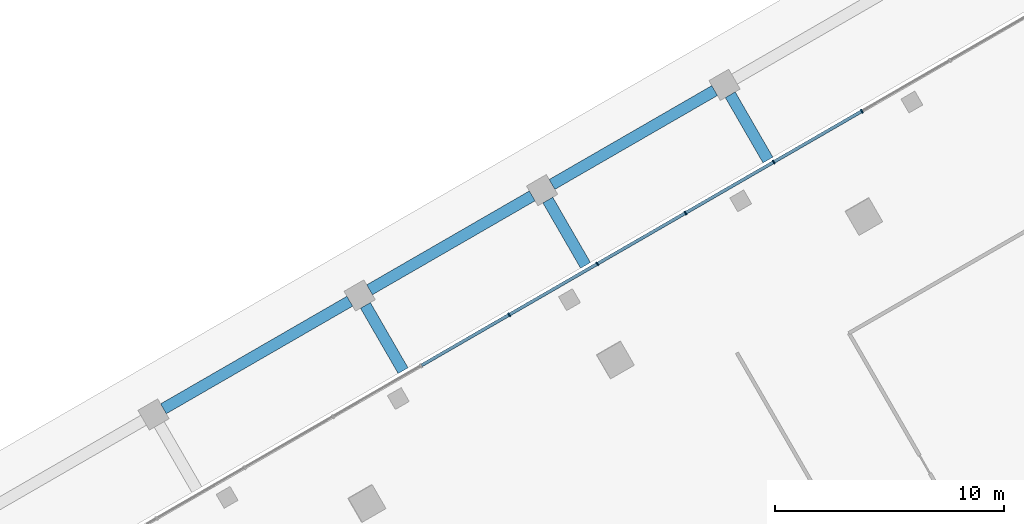
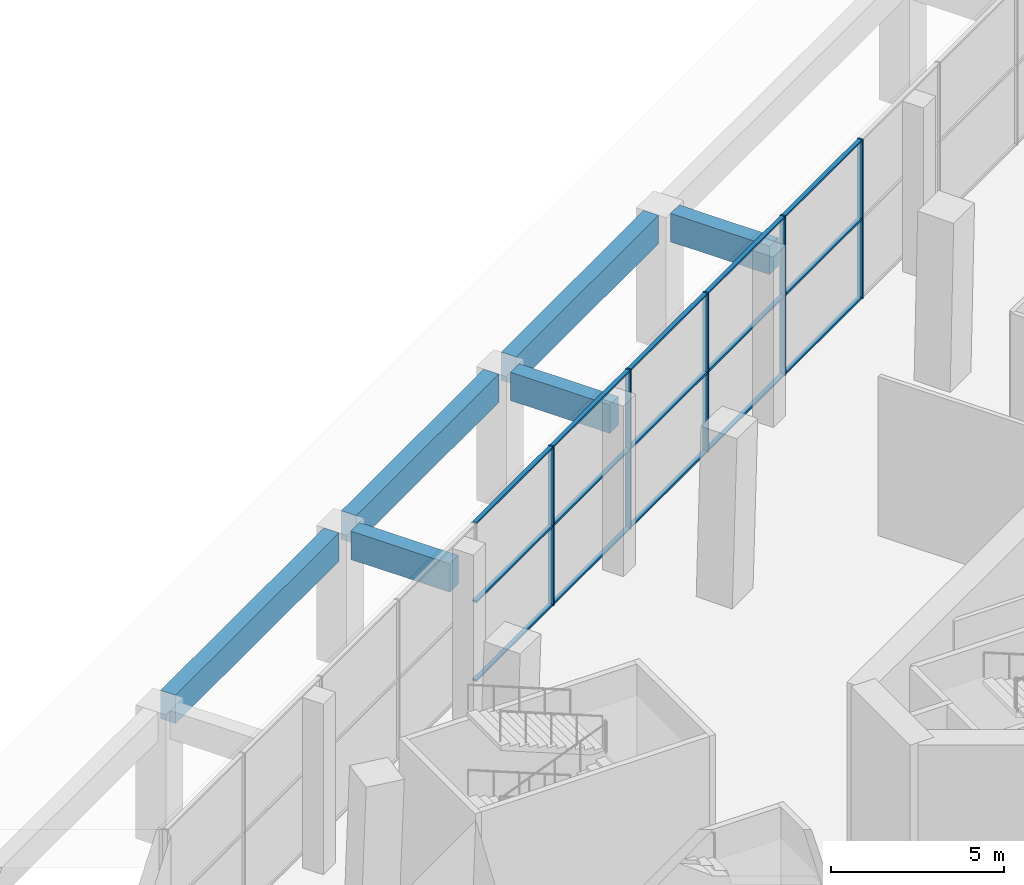
# One storey, part 12 of 51: 20 members, 6 beams, 1 element without a shape of its own.
"""IFC4 building model written with IfcOpenShell, lengths in metres."""

import ifcopenshell
import ifcopenshell.guid

model = None  # the IFC model being written
_history = None  # IfcOwnerHistory: only IFC2X3 demands one
_inside = {}  # id of a spatial element -> (the spatial element, [elements in it])
_under = {}  # id of a project, library or spatial element -> (it, [spatial elements below it])
_declared = {}  # id of a project -> (the project, [libraries it declares])
_typed = {}  # id of a type object -> (the type object, [elements of that type])
_made_of = {}  # id of a material, layer set ... -> (it, [elements and type objects made of it])


def new_model(schema):
    """Start an empty IFC model of exactly this schema.

    Asked for "IFC4X3", IfcOpenShell would pick the latest addendum, in which some entities
    have other attributes; the version numbers below select the first issue.
    IFC2X3 requires an IfcOwnerHistory on every rooted entity: one is made here for all.
    """
    global model, _history
    if schema == "IFC4X3":
        model = ifcopenshell.file(schema_version=(4, 3, 0, 0))
    else:
        model = ifcopenshell.file(schema=schema)
    _inside.clear()
    _under.clear()
    _declared.clear()
    _typed.clear()
    _made_of.clear()
    _history = None
    if model.schema == "IFC2X3":
        org = make("IfcOrganization", Name="unknown")
        user = make(
            "IfcPersonAndOrganization",
            ThePerson=make("IfcPerson", FamilyName="unknown"),
            TheOrganization=org,
        )
        app = make(
            "IfcApplication",
            ApplicationDeveloper=org,
            Version="unknown",
            ApplicationFullName="unknown",
            ApplicationIdentifier="unknown",
        )
        _history = make(
            "IfcOwnerHistory",
            OwningUser=user,
            OwningApplication=app,
            ChangeAction="ADDED",
            CreationDate=0,
        )
    return model


def make(cls, **values):
    """One entity of the class cls with the attributes given. An attribute that is None is left unset."""
    return model.create_entity(
        cls, **{name: value for name, value in values.items() if value is not None}
    )


def rooted(cls, **values):
    """An entity with a GlobalId (a new one), such as an element, a storey or a relation."""
    return make(cls, GlobalId=ifcopenshell.guid.new(), OwnerHistory=_history, **values)


def si_unit(unit_type, name, prefix=None):
    """IfcSIUnit, for example si_unit("LENGTHUNIT", "METRE", prefix="MILLI")."""
    return make("IfcSIUnit", UnitType=unit_type, Prefix=prefix, Name=name)


def assignment(units):
    """IfcUnitAssignment: the units of a project."""
    return None if units is None else make("IfcUnitAssignment", Units=units)


def point(xyz):
    """IfcCartesianPoint."""
    return None if xyz is None else make("IfcCartesianPoint", Coordinates=xyz)


def direction(xyz):
    """IfcDirection."""
    return None if xyz is None else make("IfcDirection", DirectionRatios=xyz)


def frame(location, z_axis=None, x_axis=None):
    """IfcAxis2Placement3D, a coordinate frame: its origin and axes. An axis left out is left unset."""
    return make(
        "IfcAxis2Placement3D",
        Location=point(location),
        Axis=direction(z_axis),
        RefDirection=direction(x_axis),
    )


def frame_2d(location, x_axis=None):
    """IfcAxis2Placement2D, a coordinate frame in the plane: its origin and x axis."""
    return make(
        "IfcAxis2Placement2D", Location=point(location), RefDirection=direction(x_axis)
    )


def origin():
    """The frame at (0, 0, 0) with its axes left unset."""
    return frame((0.0, 0.0, 0.0))


def origin_2d():
    """The frame at (0, 0) in the plane with its x axis left unset."""
    return frame_2d((0.0, 0.0))


def place(relative_to, where):
    """IfcLocalPlacement: puts the frame where relative to a parent placement (None: the world)."""
    return make(
        "IfcLocalPlacement", PlacementRelTo=relative_to, RelativePlacement=where
    )


def context(
    kind, dimensions, precision=None, world=None, true_north=None, identifier=None
):
    """IfcGeometricRepresentationContext, for example the 3D "Model" context."""
    return make(
        "IfcGeometricRepresentationContext",
        ContextIdentifier=identifier,
        ContextType=kind,
        CoordinateSpaceDimension=dimensions,
        Precision=precision,
        WorldCoordinateSystem=world,
        TrueNorth=true_north,
    )


def subcontext(parent, identifier, kind, view, scale=None):
    """IfcGeometricRepresentationSubContext, for example "Body" below "Model"."""
    return make(
        "IfcGeometricRepresentationSubContext",
        ContextIdentifier=identifier,
        ContextType=kind,
        ParentContext=parent,
        TargetScale=scale,
        TargetView=view,
    )


def project(units=None, contexts=None):
    """IfcProject with its units and contexts."""
    return rooted(
        "IfcProject",
        Name="project",
        RepresentationContexts=contexts,
        UnitsInContext=assignment(units),
    )


def spatial(cls, under=None, at=None, **own):
    """A site, building, storey or space (cls), placed at a placement, below another one or the project."""
    s = rooted(cls, ObjectPlacement=at, **own)
    if under is not None:
        _under.setdefault(under.id(), (under, []))[1].append(s)
    return s


def profile(cls, at=None, kind="AREA", **sizes):
    """A parametric profile (cls). Its sizes go by their IFC names, for example OverallWidth=200.0."""
    return make(cls, ProfileType=kind, Position=at, **sizes)


def rectangle(**sizes):
    """IfcRectangleProfileDef."""
    return profile("IfcRectangleProfileDef", **sizes)


def extrude(swept, where, along, depth):
    """IfcExtrudedAreaSolid: the profile swept, set in the frame where, extruded along a direction by depth."""
    return make(
        "IfcExtrudedAreaSolid",
        SweptArea=swept,
        Position=where,
        ExtrudedDirection=direction(along),
        Depth=depth,
    )


def shape(context_of_items, identifier, shape_type, items):
    """IfcShapeRepresentation: the items that make up one representation, for example the "Body"."""
    return make(
        "IfcShapeRepresentation",
        ContextOfItems=context_of_items,
        RepresentationIdentifier=identifier,
        RepresentationType=shape_type,
        Items=items,
    )


def material(Name=None, Category=None):
    """IfcMaterial."""
    return make("IfcMaterial", Name=Name, Category=Category)


def layer(
    of_material, thickness, ventilated=None, Name=None, Category=None, Priority=None
):
    """IfcMaterialLayer: one layer of a wall or slab, of a material (None: an air gap)."""
    return make(
        "IfcMaterialLayer",
        Material=of_material,
        LayerThickness=thickness,
        IsVentilated=ventilated,
        Name=Name,
        Category=Category,
        Priority=Priority,
    )


def layer_set(layers, Name=None):
    """IfcMaterialLayerSet."""
    return make("IfcMaterialLayerSet", MaterialLayers=layers, LayerSetName=Name)


def material_profile(
    of_material, cross_section, Name=None, Category=None, Priority=None
):
    """IfcMaterialProfile: a cross section and its material."""
    return make(
        "IfcMaterialProfile",
        Name=Name,
        Material=of_material,
        Profile=cross_section,
        Priority=Priority,
        Category=Category,
    )


def profile_set(profiles, Name=None, composite=None):
    """IfcMaterialProfileSet."""
    return make(
        "IfcMaterialProfileSet",
        Name=Name,
        MaterialProfiles=profiles,
        CompositeProfile=composite,
    )


def made_of(thing, what):
    """Note that an element or type object is made of a material, layer set ...; save() writes the relation."""
    if what is not None:
        _made_of.setdefault(what.id(), (what, []))[1].append(thing)
    return thing


def type_object(cls, material=None, **own):
    """A type object (cls), such as IfcWallType, which elements share."""
    return made_of(rooted(cls, **own), material)


def element(
    cls,
    number,
    at=None,
    inside=None,
    cuts=None,
    type_object=None,
    material=None,
    context=None,
    identifier="Body",
    shape_type=None,
    held_by="IfcProductDefinitionShape",
    body=None,
    shapes=None,
    **own,
):
    """One element of the class cls, such as IfcWall. Its Tag is "e" and its number.

    at: its placement. inside: the storey or other place that contains it. cuts: it is an
    opening in that element (IfcRelVoidsElement). A single representation is given by context,
    identifier, shape_type and body (its items); several are given by shapes. held_by: the class
    of the entity that holds the representations. save() writes the other relations.
    """
    e = rooted(cls, Tag="e%d" % number, ObjectPlacement=at, **own)
    if body is not None:
        shapes = [shape(context, identifier, shape_type, body)]
    if shapes is not None:
        e.Representation = make(held_by, Representations=shapes)
    if inside is not None:
        _inside.setdefault(inside.id(), (inside, []))[1].append(e)
    if cuts is not None:
        rooted(
            "IfcRelVoidsElement", RelatingBuildingElement=cuts, RelatedOpeningElement=e
        )
    if type_object is not None:
        _typed.setdefault(type_object.id(), (type_object, []))[1].append(e)
    return made_of(e, material)


def aggregate(whole, parts):
    """IfcRelAggregates: a whole, such as a stair, and the parts it consists of."""
    return rooted("IfcRelAggregates", RelatingObject=whole, RelatedObjects=parts)


def save(model, path):
    """Write the relations noted so far, then the file.

    IfcRelAggregates (storeys below a building ...), IfcRelContainedInSpatialStructure (elements
    in a storey), IfcRelDefinesByType, IfcRelAssociatesMaterial and IfcRelDeclares: one each for
    every whole, place, type object, material and project.
    """
    for whole, parts in _under.values():
        aggregate(whole, parts)
    for where, things in _inside.values():
        rooted(
            "IfcRelContainedInSpatialStructure",
            RelatedElements=things,
            RelatingStructure=where,
        )
    for kind, things in _typed.values():
        rooted("IfcRelDefinesByType", RelatedObjects=things, RelatingType=kind)
    for what, things in _made_of.values():
        rooted("IfcRelAssociatesMaterial", RelatedObjects=things, RelatingMaterial=what)
    for by, libraries in _declared.values():
        rooted("IfcRelDeclares", RelatingContext=by, RelatedDefinitions=libraries)
    model.write(path)


model = new_model("IFC4")

# Units and contexts
model_context = context("Model", 3, precision=1e-05, world=origin(), true_north=direction((0.0, 1.0)))
body_context = subcontext(model_context, "Body", "Model", "MODEL_VIEW")
ifc_project = project(units=[si_unit("LENGTHUNIT", "METRE"), si_unit("AREAUNIT", "SQUARE_METRE"), si_unit("VOLUMEUNIT", "CUBIC_METRE"), si_unit("PLANEANGLEUNIT", "RADIAN"), si_unit("MASSUNIT", "GRAM", prefix="KILO")], contexts=[model_context])

# Site, building, storey
site_placement = place(None, origin())
site = spatial("IfcSite", under=ifc_project, at=site_placement, CompositionType="ELEMENT")
building_placement = place(site_placement, origin())
building = spatial("IfcBuilding", under=site, at=building_placement, Name="Jabali Bay Hotel Tower and Convention Centre", CompositionType="ELEMENT")
storey_placement = place(building_placement, frame((0.0, 0.0, 9.0)))
storey = spatial("IfcBuildingStorey", under=building, at=storey_placement, Name="L01", CompositionType="ELEMENT", Elevation=9.0)

# Beams
ifc_material_1 = material(Name="Concrete C40", Category="concrete")
ifc_material_profile_1 = material_profile(ifc_material_1, rectangle(XDim=0.5, YDim=1.0, at=origin_2d()), Name="RC 500x1000")
ifc_profile_set_1 = profile_set([ifc_material_profile_1], Name="Concrete C40")
beam_type = type_object("IfcBeamType", Name="Arcade Edge Beam 500x1000", PredefinedType="BEAM", material=ifc_profile_set_1)
for number, where, z_axis, x_axis, name in (
    (1, (56.238525390625, 106.69580078125, 4.199951171875), (-0.866024310987, -0.500001892776, 0.0), (0.500001892776, -0.866024310987, 0.0), "Arcade edge beam 7"),
    (2, (48.25537109375, 102.086669921875, 4.199951171875), (-0.866024310987, -0.500001892776, 0.0), (0.500001892776, -0.866024310987, 0.0), "Arcade edge beam 8"),
):
    element("IfcBeam", number, at=place(storey_placement, frame(where, z_axis=z_axis, x_axis=x_axis)), inside=storey, type_object=beam_type, Name=name, PredefinedType="BEAM", context=body_context, shape_type="SweptSolid", body=[
        extrude(rectangle(XDim=0.5, YDim=1.0, at=origin_2d()), origin(), (0.0, 0.0, 1.0), 8.21826171875),
    ])
beam_1_placement = place(storey_placement, frame((40.272216796875, 97.4775390625, 4.199951171875), z_axis=(-0.8660332064, -0.49998648523, 0.0), x_axis=(0.49998648523, -0.8660332064, 0.0)))
element("IfcBeam", 3, at=beam_1_placement, inside=storey, type_object=beam_type, Name="Arcade edge beam 9", PredefinedType="BEAM", context=body_context, shape_type="SweptSolid", body=[
    extrude(rectangle(XDim=0.5, YDim=1.0, at=origin_2d()), origin(), (0.0, 0.0, 1.0), 9.418212890625),
])
beam_2_placement = place(storey_placement, frame((56.921630859375, 106.5126953125, 4.199951171875), z_axis=(0.500006386895, -0.866021716278, 0.0), x_axis=(0.866021716278, 0.500006386895, 0.0)))
element("IfcBeam", 4, at=beam_2_placement, inside=storey, type_object=beam_type, Name="Arcade cross beam 5", PredefinedType="BEAM", context=body_context, shape_type="SweptSolid", body=[
    extrude(rectangle(XDim=0.5, YDim=1.0, at=origin_2d()), origin(), (0.0, 0.0, 1.0), 3.2998046875),
])
for number, where, z_axis, x_axis, name in (
    (5, (48.938232421875, 101.90380859375, 4.199951171875), (0.50002983664, -0.866008176907, 0.0), (0.866008176907, 0.50002983664, 0.0), "Arcade cross beam 6"),
    (6, (40.955078125, 97.294677734375, 4.199951171875), (0.50002983664, -0.866008176907, 0.0), (0.866008176907, 0.50002983664, 0.0), "Arcade cross beam 7"),
):
    element("IfcBeam", number, at=place(storey_placement, frame(where, z_axis=z_axis, x_axis=x_axis)), inside=storey, type_object=beam_type, Name=name, PredefinedType="BEAM", context=body_context, shape_type="SweptSolid", body=[
        extrude(rectangle(XDim=0.5, YDim=1.0, at=origin_2d()), origin(), (0.0, 0.0, 1.0), 3.300048828125),
    ])

# Curtain wall, members
ifc_material_2 = material(Name="Aluminium and glass", Category="aluminium")
ifc_layer = layer(ifc_material_2, 0.179931640625)
ifc_layer_set = layer_set([ifc_layer], Name="Aluminium and glass")
curtain_wall_type = type_object("IfcCurtainWallType", Name="CW1 curtain wall", PredefinedType="NOTDEFINED", material=ifc_layer_set)
curtain_wall_placement = place(storey_placement, origin())
curtain_wall = element("IfcCurtainWall", 7, at=curtain_wall_placement, inside=storey, type_object=curtain_wall_type, Name="CW1 curtain wall north-west face L01", PredefinedType="NOTDEFINED")
ifc_material_3 = material(Name="Aluminium", Category="aluminium")
ifc_material_profile_2 = material_profile(ifc_material_3, rectangle(XDim=0.179931640625, YDim=0.06005859375, at=origin_2d()), Name="CW1 mullion 60 x 180")
ifc_profile_set_2 = profile_set([ifc_material_profile_2], Name="Aluminium")
member_type_1 = type_object("IfcMemberType", Name="CW1 mullion 60 x 180", PredefinedType="MULLION", material=ifc_profile_set_2)
member_1_placement = place(storey_placement, frame((47.248046875, 96.88623046875, 0.0), z_axis=(0.0, 0.0, 1.0), x_axis=(-0.499999999441, 0.866025404107, 0.0)))
member_1 = element("IfcMember", 8, at=member_1_placement, type_object=member_type_1, Name="CW1 mullion 6", PredefinedType="MULLION", context=body_context, shape_type="SweptSolid", body=[
    extrude(rectangle(XDim=0.179931640625, YDim=0.06005859375, at=origin_2d()), origin(), (0.0, 0.0, 1.0), 5.60009765625),
])
member_2_placement = place(storey_placement, frame((51.105712890625, 99.113525390625, 0.0), z_axis=(0.0, 0.0, 1.0), x_axis=(-0.499999999441, 0.866025404107, 0.0)))
member_2 = element("IfcMember", 9, at=member_2_placement, type_object=member_type_1, Name="CW1 mullion 7", PredefinedType="MULLION", context=body_context, shape_type="SweptSolid", body=[
    extrude(rectangle(XDim=0.179931640625, YDim=0.06005859375, at=origin_2d()), origin(), (0.0, 0.0, 1.0), 5.60009765625),
])
member_3_placement = place(storey_placement, frame((54.96337890625, 101.3408203125, 0.0), z_axis=(0.0, 0.0, 1.0), x_axis=(-0.499999999441, 0.866025404107, 0.0)))
member_3 = element("IfcMember", 10, at=member_3_placement, type_object=member_type_1, Name="CW1 mullion 8", PredefinedType="MULLION", context=body_context, shape_type="SweptSolid", body=[
    extrude(rectangle(XDim=0.179931640625, YDim=0.06005859375, at=origin_2d()), origin(), (0.0, 0.0, 1.0), 5.60009765625),
])
member_4_placement = place(storey_placement, frame((58.821044921875, 103.568115234375, 0.0), z_axis=(0.0, 0.0, 1.0), x_axis=(-0.499999999441, 0.866025404107, 0.0)))
member_4 = element("IfcMember", 11, at=member_4_placement, type_object=member_type_1, Name="CW1 mullion 9", PredefinedType="MULLION", context=body_context, shape_type="SweptSolid", body=[
    extrude(rectangle(XDim=0.179931640625, YDim=0.06005859375, at=origin_2d()), origin(), (0.0, 0.0, 1.0), 5.60009765625),
])
member_5_placement = place(storey_placement, frame((62.678955078125, 105.79541015625, 0.0), z_axis=(0.0, 0.0, 1.0), x_axis=(-0.499999999441, 0.866025404107, 0.0)))
member_5 = element("IfcMember", 12, at=member_5_placement, type_object=member_type_1, Name="CW1 mullion 10", PredefinedType="MULLION", context=body_context, shape_type="SweptSolid", body=[
    extrude(rectangle(XDim=0.179931640625, YDim=0.06005859375, at=origin_2d()), origin(), (0.0, 0.0, 1.0), 5.60009765625),
])
ifc_material_profile_3 = material_profile(ifc_material_3, rectangle(XDim=0.139892578125, YDim=0.06005859375, at=origin_2d()), Name="CW1 transom 60 x 140")
ifc_profile_set_3 = profile_set([ifc_material_profile_3], Name="Aluminium")
member_type_2 = type_object("IfcMemberType", Name="CW1 transom 60 x 140", PredefinedType="USERDEFINED", material=ifc_profile_set_3)
member_6_placement = place(storey_placement, frame((43.416259765625, 94.674072265625, 0.030029296875), z_axis=(0.866019052629, 0.500011000363, 0.0), x_axis=(-0.500011000363, 0.866019052629, 0.0)))
member_6 = element("IfcMember", 13, at=member_6_placement, type_object=member_type_2, Name="CW1 transom 5.1", ObjectType="TRANSOM", PredefinedType="USERDEFINED", context=body_context, shape_type="SweptSolid", body=[
    extrude(rectangle(XDim=0.139892578125, YDim=0.06005859375, at=origin_2d()), origin(), (0.0, 0.0, 1.0), 4.39453125),
])
member_7_placement = place(storey_placement, frame((43.416259765625, 94.674072265625, 2.800048828125), z_axis=(0.866019052629, 0.500011000363, 0.0), x_axis=(-0.500011000363, 0.866019052629, 0.0)))
member_7 = element("IfcMember", 14, at=member_7_placement, type_object=member_type_2, Name="CW1 transom 5.2", ObjectType="TRANSOM", PredefinedType="USERDEFINED", context=body_context, shape_type="SweptSolid", body=[
    extrude(rectangle(XDim=0.139892578125, YDim=0.06005859375, at=origin_2d()), origin(), (0.0, 0.0, 1.0), 4.39453125),
])
member_8_placement = place(storey_placement, frame((43.416259765625, 94.674072265625, 5.570068359375), z_axis=(0.866019052629, 0.500011000363, 0.0), x_axis=(-0.500011000363, 0.866019052629, 0.0)))
member_8 = element("IfcMember", 15, at=member_8_placement, type_object=member_type_2, Name="CW1 transom 5.3", ObjectType="TRANSOM", PredefinedType="USERDEFINED", context=body_context, shape_type="SweptSolid", body=[
    extrude(rectangle(XDim=0.139892578125, YDim=0.06005859375, at=origin_2d()), origin(), (0.0, 0.0, 1.0), 4.39453125),
])
member_9_placement = place(storey_placement, frame((47.27392578125, 96.9013671875, 0.030029296875), z_axis=(0.866019052629, 0.500011000363, 0.0), x_axis=(-0.500011000363, 0.866019052629, 0.0)))
member_9 = element("IfcMember", 16, at=member_9_placement, type_object=member_type_2, Name="CW1 transom 6.1", ObjectType="TRANSOM", PredefinedType="USERDEFINED", context=body_context, shape_type="SweptSolid", body=[
    extrude(rectangle(XDim=0.139892578125, YDim=0.06005859375, at=origin_2d()), origin(), (0.0, 0.0, 1.0), 4.39453125),
])
member_10_placement = place(storey_placement, frame((47.27392578125, 96.9013671875, 2.800048828125), z_axis=(0.866019052629, 0.500011000363, 0.0), x_axis=(-0.500011000363, 0.866019052629, 0.0)))
member_10 = element("IfcMember", 17, at=member_10_placement, type_object=member_type_2, Name="CW1 transom 6.2", ObjectType="TRANSOM", PredefinedType="USERDEFINED", context=body_context, shape_type="SweptSolid", body=[
    extrude(rectangle(XDim=0.139892578125, YDim=0.06005859375, at=origin_2d()), origin(), (0.0, 0.0, 1.0), 4.39453125),
])
member_11_placement = place(storey_placement, frame((47.27392578125, 96.9013671875, 5.570068359375), z_axis=(0.866019052629, 0.500011000363, 0.0), x_axis=(-0.500011000363, 0.866019052629, 0.0)))
member_11 = element("IfcMember", 18, at=member_11_placement, type_object=member_type_2, Name="CW1 transom 6.3", ObjectType="TRANSOM", PredefinedType="USERDEFINED", context=body_context, shape_type="SweptSolid", body=[
    extrude(rectangle(XDim=0.139892578125, YDim=0.06005859375, at=origin_2d()), origin(), (0.0, 0.0, 1.0), 4.39453125),
])
member_12_placement = place(storey_placement, frame((51.131591796875, 99.128662109375, 0.030029296875), z_axis=(0.866032941432, 0.499986944184, 0.0), x_axis=(-0.499986944184, 0.866032941432, 0.0)))
member_12 = element("IfcMember", 19, at=member_12_placement, type_object=member_type_2, Name="CW1 transom 7.1", ObjectType="TRANSOM", PredefinedType="USERDEFINED", context=body_context, shape_type="SweptSolid", body=[
    extrude(rectangle(XDim=0.139892578125, YDim=0.06005859375, at=origin_2d()), origin(), (0.0, 0.0, 1.0), 4.39453125),
])
member_13_placement = place(storey_placement, frame((51.131591796875, 99.128662109375, 2.800048828125), z_axis=(0.866032941432, 0.499986944184, 0.0), x_axis=(-0.499986944184, 0.866032941432, 0.0)))
member_13 = element("IfcMember", 20, at=member_13_placement, type_object=member_type_2, Name="CW1 transom 7.2", ObjectType="TRANSOM", PredefinedType="USERDEFINED", context=body_context, shape_type="SweptSolid", body=[
    extrude(rectangle(XDim=0.139892578125, YDim=0.06005859375, at=origin_2d()), origin(), (0.0, 0.0, 1.0), 4.39453125),
])
member_14_placement = place(storey_placement, frame((51.131591796875, 99.128662109375, 5.570068359375), z_axis=(0.866032941432, 0.499986944184, 0.0), x_axis=(-0.499986944184, 0.866032941432, 0.0)))
member_14 = element("IfcMember", 21, at=member_14_placement, type_object=member_type_2, Name="CW1 transom 7.3", ObjectType="TRANSOM", PredefinedType="USERDEFINED", context=body_context, shape_type="SweptSolid", body=[
    extrude(rectangle(XDim=0.139892578125, YDim=0.06005859375, at=origin_2d()), origin(), (0.0, 0.0, 1.0), 4.39453125),
])
member_15_placement = place(storey_placement, frame((54.989501953125, 101.355712890625, 0.030029296875), z_axis=(0.866019052629, 0.500011000363, 0.0), x_axis=(-0.500011000363, 0.866019052629, 0.0)))
member_15 = element("IfcMember", 22, at=member_15_placement, type_object=member_type_2, Name="CW1 transom 8.1", ObjectType="TRANSOM", PredefinedType="USERDEFINED", context=body_context, shape_type="SweptSolid", body=[
    extrude(rectangle(XDim=0.139892578125, YDim=0.06005859375, at=origin_2d()), origin(), (0.0, 0.0, 1.0), 4.39453125),
])
member_16_placement = place(storey_placement, frame((54.989501953125, 101.355712890625, 2.800048828125), z_axis=(0.866019052629, 0.500011000363, 0.0), x_axis=(-0.500011000363, 0.866019052629, 0.0)))
member_16 = element("IfcMember", 23, at=member_16_placement, type_object=member_type_2, Name="CW1 transom 8.2", ObjectType="TRANSOM", PredefinedType="USERDEFINED", context=body_context, shape_type="SweptSolid", body=[
    extrude(rectangle(XDim=0.139892578125, YDim=0.06005859375, at=origin_2d()), origin(), (0.0, 0.0, 1.0), 4.39453125),
])
member_17_placement = place(storey_placement, frame((54.989501953125, 101.355712890625, 5.570068359375), z_axis=(0.866019052629, 0.500011000363, 0.0), x_axis=(-0.500011000363, 0.866019052629, 0.0)))
member_17 = element("IfcMember", 24, at=member_17_placement, type_object=member_type_2, Name="CW1 transom 8.3", ObjectType="TRANSOM", PredefinedType="USERDEFINED", context=body_context, shape_type="SweptSolid", body=[
    extrude(rectangle(XDim=0.139892578125, YDim=0.06005859375, at=origin_2d()), origin(), (0.0, 0.0, 1.0), 4.39453125),
])
member_18_placement = place(storey_placement, frame((58.84716796875, 103.5830078125, 0.030029296875), z_axis=(0.866019052629, 0.500011000363, 0.0), x_axis=(-0.500011000363, 0.866019052629, 0.0)))
member_18 = element("IfcMember", 25, at=member_18_placement, type_object=member_type_2, Name="CW1 transom 9.1", ObjectType="TRANSOM", PredefinedType="USERDEFINED", context=body_context, shape_type="SweptSolid", body=[
    extrude(rectangle(XDim=0.139892578125, YDim=0.06005859375, at=origin_2d()), origin(), (0.0, 0.0, 1.0), 4.39453125),
])
member_19_placement = place(storey_placement, frame((58.84716796875, 103.5830078125, 2.800048828125), z_axis=(0.866019052629, 0.500011000363, 0.0), x_axis=(-0.500011000363, 0.866019052629, 0.0)))
member_19 = element("IfcMember", 26, at=member_19_placement, type_object=member_type_2, Name="CW1 transom 9.2", ObjectType="TRANSOM", PredefinedType="USERDEFINED", context=body_context, shape_type="SweptSolid", body=[
    extrude(rectangle(XDim=0.139892578125, YDim=0.06005859375, at=origin_2d()), origin(), (0.0, 0.0, 1.0), 4.39453125),
])
member_20_placement = place(storey_placement, frame((58.84716796875, 103.5830078125, 5.570068359375), z_axis=(0.866019052629, 0.500011000363, 0.0), x_axis=(-0.500011000363, 0.866019052629, 0.0)))
member_20 = element("IfcMember", 27, at=member_20_placement, type_object=member_type_2, Name="CW1 transom 9.3", ObjectType="TRANSOM", PredefinedType="USERDEFINED", context=body_context, shape_type="SweptSolid", body=[
    extrude(rectangle(XDim=0.139892578125, YDim=0.06005859375, at=origin_2d()), origin(), (0.0, 0.0, 1.0), 4.39453125),
])
aggregate(curtain_wall, [member_1, member_2, member_3, member_4, member_5, member_6, member_7, member_8, member_9, member_10, member_11, member_12, member_13, member_14, member_15, member_16, member_17, member_18, member_19, member_20])

save(model, "model.ifc")
